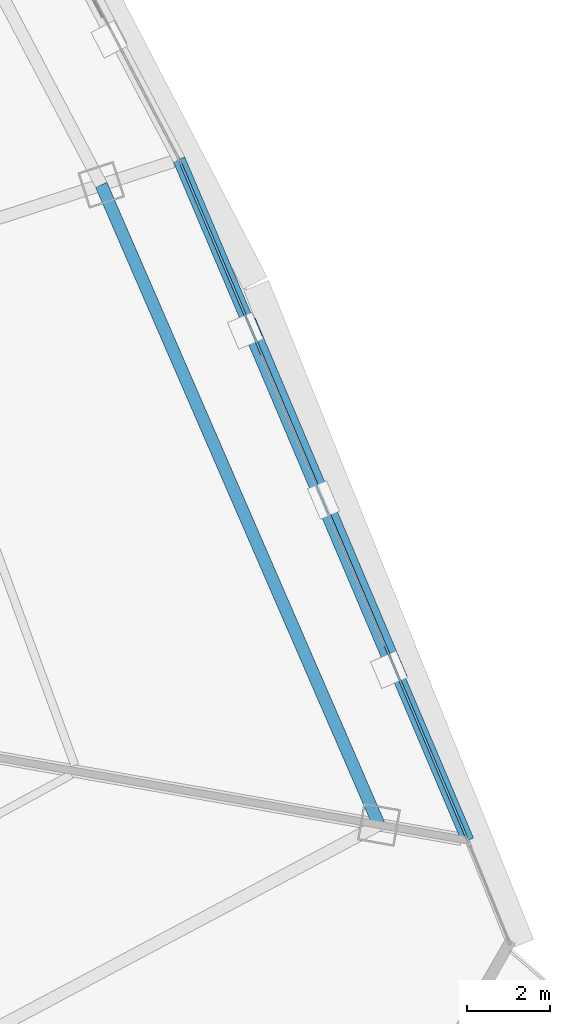
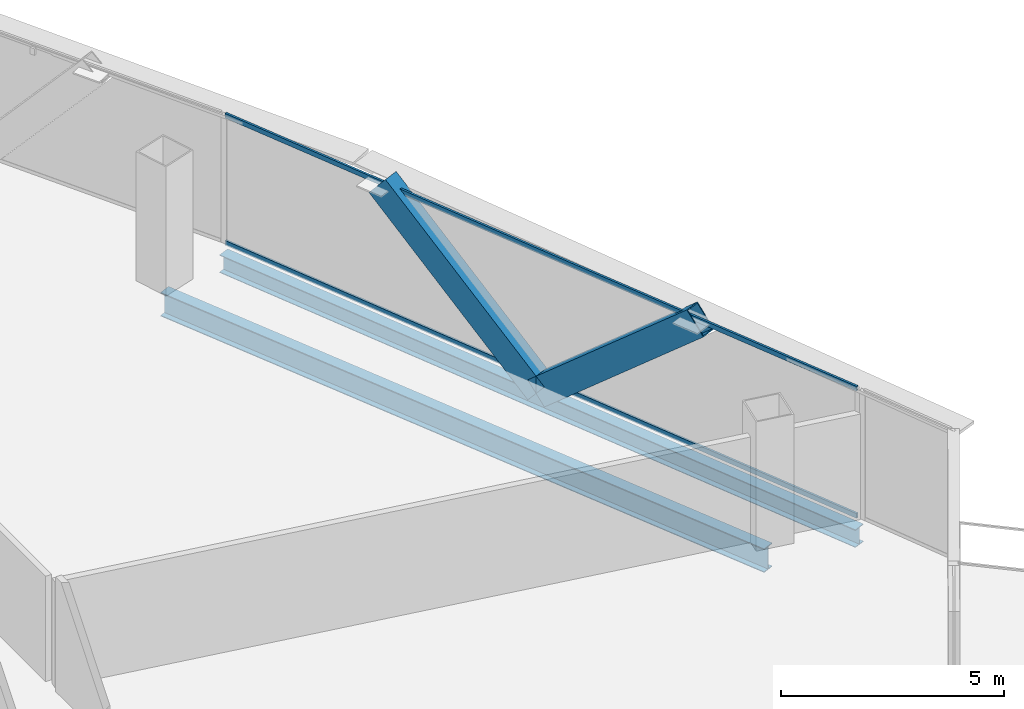
# One storey, part 25 of 37: 4 members, 2 beams, 1 element without a shape of its own.
"""IFC4 building model written with IfcOpenShell, lengths in metres."""

from ifc_helpers import new_model, si_unit, direction, frame, origin, origin_2d, place, context, subcontext, project, spatial, hollow_rectangle, i_section, extrude, source, transform, mapped, material, layer, layer_set, material_profile, profile_set, type_object, element, aggregate, save


model = new_model("IFC4")

# Units and contexts
model_context = context("Model", 3, precision=1e-05, world=origin(), true_north=direction((0.0, 1.0)))
body_context = subcontext(model_context, "Body", "Model", "MODEL_VIEW")
ifc_project = project(units=[si_unit("LENGTHUNIT", "METRE"), si_unit("AREAUNIT", "SQUARE_METRE"), si_unit("VOLUMEUNIT", "CUBIC_METRE"), si_unit("PLANEANGLEUNIT", "RADIAN"), si_unit("MASSUNIT", "GRAM", prefix="KILO"), si_unit("THERMODYNAMICTEMPERATUREUNIT", "KELVIN"), si_unit("POWERUNIT", "WATT")], contexts=[model_context])

# Site, building, storey
site_placement = place(None, origin())
site = spatial("IfcSite", under=ifc_project, at=site_placement, CompositionType="ELEMENT")
building_placement = place(site_placement, origin())
building = spatial("IfcBuilding", under=site, at=building_placement, Name="Yunzhuo Pagoda Commons", CompositionType="ELEMENT")
storey_placement = place(building_placement, frame((0.0, 0.0, 199.9599609375)))
storey = spatial("IfcBuildingStorey", under=building, at=storey_placement, Name="L50", CompositionType="ELEMENT", Elevation=199.9599609375)

# Beams
ifc_material_1 = material(Name="Structural steel Q355B", Category="steel")
ifc_material_profile_1 = material_profile(ifc_material_1, i_section(OverallWidth=0.300048828125, OverallDepth=0.64990234375, WebThickness=0.012939453125, FlangeThickness=0.02197265625, at=origin_2d()), Name="Structural steel Q355B")
ifc_profile_set_1 = profile_set([ifc_material_profile_1], Name="Structural steel Q355B")
beam_type_1 = type_object("IfcBeamType", Name="B-RG2 Beam HN 650x300x13x22", PredefinedType="BEAM", material=ifc_profile_set_1)
shared_shape_1 = source(origin(), body_context, "Body", "SweptSolid", [
    extrude(i_section(OverallWidth=0.300048828125, OverallDepth=0.64990234375, WebThickness=0.012939453125, FlangeThickness=0.02197265625, at=origin_2d()), origin(), (0.0, 0.0, 1.0), 16.859619140625),
])
beam_1_placement = place(storey_placement, frame((83.20654296875, 27.492431640625, -0.5849609375), z_axis=(-0.398104384161, 0.917340121935, 0.0), x_axis=(-0.917340121935, -0.398104384161, 0.0)))
element("IfcBeam", 1, at=beam_1_placement, inside=storey, type_object=beam_type_1, Name="L50 column-ring beam 5", PredefinedType="BEAM", context=body_context, shape_type="MappedRepresentation", body=[
    mapped(shared_shape_1, transform((0.0, 0.0, 0.0), scale=1.0)),
])
ifc_material_profile_2 = material_profile(ifc_material_1, i_section(OverallWidth=0.300048828125, OverallDepth=0.488037109375, WebThickness=0.010986328125, FlangeThickness=0.01806640625, at=origin_2d()), Name="Structural steel Q355B")
ifc_profile_set_2 = profile_set([ifc_material_profile_2], Name="Structural steel Q355B")
beam_type_2 = type_object("IfcBeamType", Name="B-SP1 Beam HM 488x300x11x18", PredefinedType="BEAM", material=ifc_profile_set_2)
shared_shape_2 = source(origin(), body_context, "Body", "SweptSolid", [
    extrude(i_section(OverallWidth=0.300048828125, OverallDepth=0.488037109375, WebThickness=0.010986328125, FlangeThickness=0.01806640625, at=origin_2d()), origin(), (0.0, 0.0, 1.0), 17.874267578125),
])
beam_2_placement = place(storey_placement, frame((85.353515625, 27.113525390625, -0.50390625), z_axis=(-0.390352355203, 0.920665541219, 0.0), x_axis=(-0.920665541219, -0.390352355203, 0.0)))
element("IfcBeam", 2, at=beam_2_placement, inside=storey, type_object=beam_type_2, Name="L50 facade edge spandrel beam F2.1", PredefinedType="BEAM", context=body_context, shape_type="MappedRepresentation", body=[
    mapped(shared_shape_2, transform((0.0, 0.0, 0.0), scale=1.0)),
])

# Members
ifc_material_profile_3 = material_profile(ifc_material_1, hollow_rectangle(XDim=0.39990234375, YDim=0.719970703125, WallThickness=0.02392578125, at=origin_2d()), Name="Structural steel Q355B")
ifc_profile_set_3 = profile_set([ifc_material_profile_3], Name="Structural steel Q355B")
member_type_1 = type_object("IfcMemberType", Name="M-DL2 Brace BOX 720x400x24", PredefinedType="BRACE", material=ifc_profile_set_3)
shared_shape_3 = source(origin(), body_context, "Body", "SweptSolid", [
    extrude(hollow_rectangle(XDim=0.39990234375, YDim=0.719970703125, WallThickness=0.02392578125, at=origin_2d()), origin(), (0.0, 0.0, 1.0), 5.865966796875),
])
for number, where, z_axis, x_axis, name in (
    (3, (81.86474609375, 35.341796875, -0.260009765625), (0.297379010703, -0.701348314816, 0.647824254947), (0.920658551052, 0.39036884145, 0.0), "L50 facade diamond brace F2.1L"),
    (4, (81.86474609375, 35.341796875, -0.260009765625), (-0.297294449366, 0.701386820764, 0.647821378186), (-0.920706141015, -0.390256584694, 0.0), "L50 facade diamond brace F2.1R"),
):
    element("IfcMember", number, at=place(storey_placement, frame(where, z_axis=z_axis, x_axis=x_axis)), inside=storey, type_object=member_type_1, Name=name, PredefinedType="BRACE", context=body_context, shape_type="MappedRepresentation", body=[
        mapped(shared_shape_3, transform((0.0, 0.0, 0.0), scale=1.0)),
    ])

# Curtain wall, members
ifc_material_2 = material(Name="Anodized aluminium 6063-T6", Category="aluminium")
ifc_layer = layer(ifc_material_2, 0.14990234375)
ifc_layer_set = layer_set([ifc_layer], Name="Anodized aluminium 6063-T6")
curtain_wall_type = type_object("IfcCurtainWallType", Name="CW-MID Mid-Zone Ribbon Curtain Wall", PredefinedType="NOTDEFINED", material=ifc_layer_set)
curtain_wall_placement = place(storey_placement, origin())
curtain_wall = element("IfcCurtainWall", 5, at=curtain_wall_placement, inside=storey, type_object=curtain_wall_type, Name="L50 curtain wall CW-L50-F2B2", PredefinedType="NOTDEFINED")
ifc_material_profile_4 = material_profile(ifc_material_2, hollow_rectangle(XDim=0.054931640625, YDim=0.1298828125, WallThickness=0.00341796875, at=origin_2d()), Name="Anodized aluminium 6063-T6")
ifc_profile_set_4 = profile_set([ifc_material_profile_4], Name="Anodized aluminium 6063-T6")
member_type_2 = type_object("IfcMemberType", Name="CW-MID-T Transom RHS 130x55x3.5", PredefinedType="USERDEFINED", material=ifc_profile_set_4)
shared_shape_4 = source(origin(), body_context, "Body", "SweptSolid", [
    extrude(hollow_rectangle(XDim=0.054931640625, YDim=0.1298828125, WallThickness=0.00341796875, at=origin_2d()), origin(), (0.0, 0.0, 1.0), 17.754150390625),
])
member_1_placement = place(storey_placement, frame((85.330078125, 27.1689453125, 0.027587890625), z_axis=(-0.39035313802, 0.920665209312, 0.0), x_axis=(-0.920665209312, -0.39035313802, 0.0)))
member_1 = element("IfcMember", 6, at=member_1_placement, type_object=member_type_2, Name="CW transom 1.1", ObjectType="TRANSOM", PredefinedType="USERDEFINED", context=body_context, shape_type="MappedRepresentation", body=[
    mapped(shared_shape_4, transform((0.0, 0.0, 0.0), scale=1.0)),
])
member_2_placement = place(storey_placement, frame((85.330078125, 27.1689453125, 3.512451171875), z_axis=(-0.39035313802, 0.920665209312, 0.0), x_axis=(-0.920665209312, -0.39035313802, 0.0)))
member_2 = element("IfcMember", 7, at=member_2_placement, type_object=member_type_2, Name="CW transom 1.2", ObjectType="TRANSOM", PredefinedType="USERDEFINED", context=body_context, shape_type="MappedRepresentation", body=[
    mapped(shared_shape_4, transform((0.0, 0.0, 0.0), scale=1.0)),
])
aggregate(curtain_wall, [member_1, member_2])

save(model, "model.ifc")
